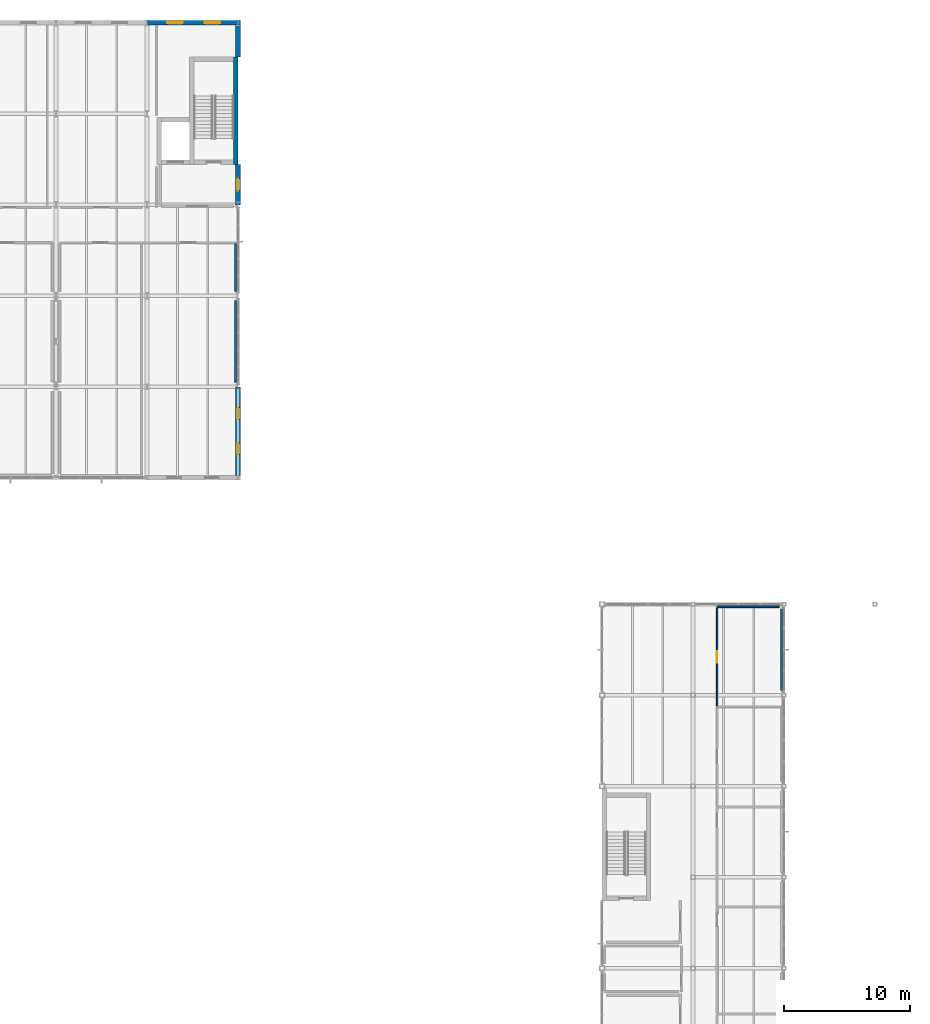
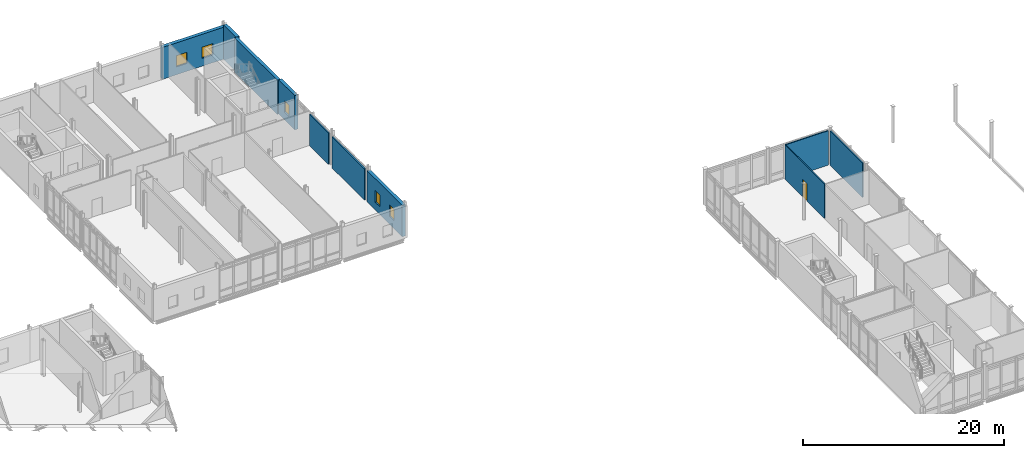
# One storey, part 62 of 76: 10 walls, 5 windows, 1 door, 6 openings.
"""IFC4 building model written with IfcOpenShell, lengths in metres."""

from ifc_helpers import new_model, si_unit, direction, frame, frame_2d, origin, place, context, subcontext, project, spatial, rectangle, extrude, material, layer, layer_set, type_object, element, fill, save


model = new_model("IFC4")

# Units and contexts
model_context = context("Model", 3, precision=1e-05, world=origin(), true_north=direction((0.0, 1.0)))
body_context = subcontext(model_context, "Body", "Model", "MODEL_VIEW")
ifc_project = project(units=[si_unit("LENGTHUNIT", "METRE"), si_unit("AREAUNIT", "SQUARE_METRE"), si_unit("VOLUMEUNIT", "CUBIC_METRE"), si_unit("PLANEANGLEUNIT", "RADIAN"), si_unit("MASSUNIT", "GRAM", prefix="KILO")], contexts=[model_context])

# Site, building, storey
site_placement = place(None, origin())
site = spatial("IfcSite", under=ifc_project, at=site_placement, CompositionType="ELEMENT")
building_placement = place(site_placement, origin())
building = spatial("IfcBuilding", under=site, at=building_placement, Name="Zarrinpeak Specialist Clinic", CompositionType="ELEMENT")
storey_placement = place(building_placement, frame((0.0, 0.0, 5.199951171875)))
storey = spatial("IfcBuildingStorey", under=building, at=storey_placement, Name="L01", CompositionType="ELEMENT", Elevation=5.199951171875)

# Wall
ifc_material_1 = material(Name="Concrete C40/50", Category="concrete")
ifc_layer_1 = layer(ifc_material_1, 0.35009765625)
ifc_layer_set_1 = layer_set([ifc_layer_1], Name="Concrete C40/50")
wall_type_1 = type_object("IfcWallType", Name="WL-CR350", PredefinedType="SHEAR", material=ifc_layer_set_1)
wall_1_placement = place(storey_placement, frame((64.625, 106.800048828125, 0.0), z_axis=(0.0, 0.0, 1.0), x_axis=(0.0, 1.0, 0.0)))
element("IfcWall", 1, at=wall_1_placement, inside=storey, type_object=wall_type_1, Name="L01 Core C12 Shear Wall STE", PredefinedType="SHEAR", context=body_context, shape_type="SweptSolid", body=[
    extrude(rectangle(XDim=8.5, YDim=0.35009765625, at=frame_2d((4.25, 0.0))), origin(), (0.0, 0.0, 1.0), 4.18505859375),
])

# Wall, openings, windows
ifc_material_2 = material(Name="Precast concrete C40/50", Category="concrete")
ifc_layer_2 = layer(ifc_material_2, 0.3798828125)
ifc_layer_set_2 = layer_set([ifc_layer_2], Name="Precast concrete C40/50")
wall_type_2 = type_object("IfcWallType", Name="WL-EW380", PredefinedType="STANDARD", material=ifc_layer_set_2)
wall_2_placement = place(storey_placement, frame((64.989990234375, 118.0, 0.0), z_axis=(0.0, 0.0, 1.0), x_axis=(-1.0, 0.0, 0.0)))
wall_2 = element("IfcWall", 2, at=wall_2_placement, inside=storey, type_object=wall_type_2, Name="L01 V6 Exterior GRC Wall EW-L01-V6-0282", PredefinedType="STANDARD", context=body_context, shape_type="SweptSolid", body=[
    extrude(rectangle(XDim=7.389892578125, YDim=0.3798828125, at=frame_2d((3.69482421875, 0.0))), origin(), (0.0, 0.0, 1.0), 3.880126953125),
])
opening_1_placement = place(wall_2_placement, frame((1.60009765625, 0.0, 0.949951171875)))
opening_1 = element("IfcOpeningElement", 3, at=opening_1_placement, cuts=wall_2, Name="Opening WS-51", PredefinedType="OPENING", context=body_context, shape_type="SweptSolid", body=[
    extrude(rectangle(XDim=1.23388671875, YDim=1.367919921875, at=frame_2d((0.616943359375, 0.68408203125))), frame((0.0, 0.199951171875, 0.0), z_axis=(0.0, -1.0, 0.0), x_axis=(1.0, 0.0, 0.0)), (0.0, 0.0, 1.0), 0.39990234375),
])
opening_2_placement = place(wall_2_placement, frame((4.555908203125, 0.0, 0.949951171875)))
opening_2 = element("IfcOpeningElement", 4, at=opening_2_placement, cuts=wall_2, Name="Opening WS-51", PredefinedType="OPENING", context=body_context, shape_type="SweptSolid", body=[
    extrude(rectangle(XDim=1.23388671875, YDim=1.367919921875, at=frame_2d((0.616943359375, 0.68408203125))), frame((0.0, 0.199951171875, 0.0), z_axis=(0.0, -1.0, 0.0), x_axis=(1.0, 0.0, 0.0)), (0.0, 0.0, 1.0), 0.39990234375),
])
ifc_material_3 = material(Name="Thermally Broken Aluminium and Low-E Glazing", Category="aluminium")
window_type_1 = type_object("IfcWindowType", Name="WN-SP51", PartitioningType="SINGLE_PANEL", PredefinedType="WINDOW", material=ifc_material_3)
window_1_placement = place(opening_1_placement, origin())
window_1 = element("IfcWindow", 5, at=window_1_placement, inside=storey, type_object=window_type_1, Name="L01 Modular Facade Window WN-L01-0320", OverallHeight=1.367919921875, OverallWidth=1.23388671875, PartitioningType="SINGLE_PANEL", PredefinedType="WINDOW", context=body_context, shape_type="SweptSolid", body=[
    extrude(rectangle(XDim=1.23388671875, YDim=1.367919921875, at=frame_2d((0.616943359375, 0.68408203125))), frame((0.0, 0.030029296875, 0.0), z_axis=(0.0, -1.0, 0.0), x_axis=(1.0, 0.0, 0.0)), (0.0, 0.0, 1.0), 0.06005859375),
])
fill(opening_1, window_1)
window_2_placement = place(opening_2_placement, origin())
window_2 = element("IfcWindow", 6, at=window_2_placement, inside=storey, type_object=window_type_1, Name="L01 Modular Facade Window WN-L01-0321", OverallHeight=1.367919921875, OverallWidth=1.23388671875, PartitioningType="SINGLE_PANEL", PredefinedType="WINDOW", context=body_context, shape_type="SweptSolid", body=[
    extrude(rectangle(XDim=1.23388671875, YDim=1.367919921875, at=frame_2d((0.616943359375, 0.68408203125))), frame((0.0, 0.030029296875, 0.0), z_axis=(0.0, -1.0, 0.0), x_axis=(1.0, 0.0, 0.0)), (0.0, 0.0, 1.0), 0.06005859375),
])
fill(opening_2, window_2)

wall_3_placement = place(storey_placement, frame((64.800048828125, 82.18994140625, 0.0), z_axis=(0.0, 0.0, 1.0), x_axis=(0.0, 1.0, 0.0)))
wall_3 = element("IfcWall", 7, at=wall_3_placement, inside=storey, type_object=wall_type_2, Name="L01 V6 Exterior GRC Wall EW-L01-V6-0286", PredefinedType="STANDARD", context=body_context, shape_type="SweptSolid", body=[
    extrude(rectangle(XDim=7.010009765625, YDim=0.3798828125, at=frame_2d((3.5048828125, 0.0))), origin(), (0.0, 0.0, 1.0), 3.81005859375),
])
opening_3_placement = place(wall_3_placement, frame((1.638916015625, 0.0, 0.949951171875)))
opening_3 = element("IfcOpeningElement", 8, at=opening_3_placement, cuts=wall_3, Name="Opening WS-55", PredefinedType="OPENING", context=body_context, shape_type="SweptSolid", body=[
    extrude(rectangle(XDim=0.927978515625, YDim=1.404052734375, at=frame_2d((0.4638671875, 0.7021484375))), frame((0.0, 0.199951171875, 0.0), z_axis=(0.0, -1.0, 0.0), x_axis=(1.0, 0.0, 0.0)), (0.0, 0.0, 1.0), 0.39990234375),
])
opening_4_placement = place(wall_3_placement, frame((4.443115234375, 0.0, 0.949951171875)))
opening_4 = element("IfcOpeningElement", 9, at=opening_4_placement, cuts=wall_3, Name="Opening WS-55", PredefinedType="OPENING", context=body_context, shape_type="SweptSolid", body=[
    extrude(rectangle(XDim=0.927978515625, YDim=1.404052734375, at=frame_2d((0.4638671875, 0.7021484375))), frame((0.0, 0.199951171875, 0.0), z_axis=(0.0, -1.0, 0.0), x_axis=(1.0, 0.0, 0.0)), (0.0, 0.0, 1.0), 0.39990234375),
])
window_type_2 = type_object("IfcWindowType", Name="WN-SP55", PartitioningType="SINGLE_PANEL", PredefinedType="WINDOW", material=ifc_material_3)
window_3_placement = place(opening_3_placement, origin())
window_3 = element("IfcWindow", 10, at=window_3_placement, inside=storey, type_object=window_type_2, Name="L01 Modular Facade Window WN-L01-0325", OverallHeight=1.404052734375, OverallWidth=0.927978515625, PartitioningType="SINGLE_PANEL", PredefinedType="WINDOW", context=body_context, shape_type="SweptSolid", body=[
    extrude(rectangle(XDim=0.927978515625, YDim=1.404052734375, at=frame_2d((0.4638671875, 0.7021484375))), frame((0.0, 0.030029296875, 0.0), z_axis=(0.0, -1.0, 0.0), x_axis=(1.0, 0.0, 0.0)), (0.0, 0.0, 1.0), 0.06005859375),
])
fill(opening_3, window_3)
window_4_placement = place(opening_4_placement, origin())
window_4 = element("IfcWindow", 11, at=window_4_placement, inside=storey, type_object=window_type_2, Name="L01 Modular Facade Window WN-L01-0326", OverallHeight=1.404052734375, OverallWidth=0.927978515625, PartitioningType="SINGLE_PANEL", PredefinedType="WINDOW", context=body_context, shape_type="SweptSolid", body=[
    extrude(rectangle(XDim=0.927978515625, YDim=1.404052734375, at=frame_2d((0.4638671875, 0.7021484375))), frame((0.0, 0.030029296875, 0.0), z_axis=(0.0, -1.0, 0.0), x_axis=(1.0, 0.0, 0.0)), (0.0, 0.0, 1.0), 0.06005859375),
])
fill(opening_4, window_4)

# Wall, opening, window
wall_4_placement = place(storey_placement, frame((64.800048828125, 103.60009765625, 0.0), z_axis=(0.0, 0.0, 1.0), x_axis=(0.0, 1.0, 0.0)))
wall_4 = element("IfcWall", 12, at=wall_4_placement, inside=storey, type_object=wall_type_2, Name="L01 V6 Exterior GRC Wall EW-L01-V6-0287", PredefinedType="STANDARD", context=body_context, shape_type="SweptSolid", body=[
    extrude(rectangle(XDim=3.199951171875, YDim=0.3798828125, at=frame_2d((1.60009765625, 0.0))), origin(), (0.0, 0.0, 1.0), 4.18505859375),
])
opening_5_placement = place(wall_4_placement, frame((1.118896484375, 0.0, 0.949951171875)))
opening_5 = element("IfcOpeningElement", 13, at=opening_5_placement, cuts=wall_4, Name="Opening WS-56", PredefinedType="OPENING", context=body_context, shape_type="SweptSolid", body=[
    extrude(rectangle(XDim=0.9619140625, YDim=1.404052734375, at=frame_2d((0.48095703125, 0.7021484375))), frame((0.0, 0.199951171875, 0.0), z_axis=(0.0, -1.0, 0.0), x_axis=(1.0, 0.0, 0.0)), (0.0, 0.0, 1.0), 0.39990234375),
])
window_type_3 = type_object("IfcWindowType", Name="WN-SP56", PartitioningType="SINGLE_PANEL", PredefinedType="WINDOW", material=ifc_material_3)
window_5_placement = place(opening_5_placement, origin())
window_5 = element("IfcWindow", 14, at=window_5_placement, inside=storey, type_object=window_type_3, Name="L01 Modular Facade Window WN-L01-0327", OverallHeight=1.404052734375, OverallWidth=0.9619140625, PartitioningType="SINGLE_PANEL", PredefinedType="WINDOW", context=body_context, shape_type="SweptSolid", body=[
    extrude(rectangle(XDim=0.9619140625, YDim=1.404052734375, at=frame_2d((0.48095703125, 0.7021484375))), frame((0.0, 0.030029296875, 0.0), z_axis=(0.0, -1.0, 0.0), x_axis=(1.0, 0.0, 0.0)), (0.0, 0.0, 1.0), 0.06005859375),
])
fill(opening_5, window_5)

# Wall
wall_5_placement = place(storey_placement, frame((64.800048828125, 115.300048828125, 0.0), z_axis=(0.0, 0.0, 1.0), x_axis=(0.0, 1.0, 0.0)))
element("IfcWall", 15, at=wall_5_placement, inside=storey, type_object=wall_type_2, Name="L01 V6 Exterior GRC Wall EW-L01-V6-0288", PredefinedType="STANDARD", context=body_context, shape_type="SweptSolid", body=[
    extrude(rectangle(XDim=2.510009765625, YDim=0.3798828125, at=frame_2d((1.2548828125, 0.0))), origin(), (0.0, 0.0, 1.0), 4.18505859375),
])

# Wall, opening, door
ifc_material_4 = material(Name="Sanitary Service Chase Plumbing Wall", Category="gypsum")
ifc_layer_3 = layer(ifc_material_4, 0.110107421875)
ifc_layer_set_3 = layer_set([ifc_layer_3], Name="Sanitary Service Chase Plumbing Wall")
wall_type_3 = type_object("IfcWallType", Name="WL-IW110", PredefinedType="PARTITIONING", material=ifc_layer_set_3)
wall_6_placement = place(storey_placement, frame((102.699951171875, 63.93505859375, 0.0), z_axis=(0.0, 0.0, 1.0), x_axis=(0.0, 1.0, 0.0)))
wall_6 = element("IfcWall", 16, at=wall_6_placement, inside=storey, type_object=wall_type_3, Name="L01 Staff WC Dividing Partition", PredefinedType="PARTITIONING", context=body_context, shape_type="SweptSolid", body=[
    extrude(rectangle(XDim=7.802490234375, YDim=0.110107421875, at=frame_2d((3.9013671875, 0.0))), origin(), (0.0, 0.0, 1.0), 4.18505859375),
])
opening_6_placement = place(wall_6_placement, frame((3.451171875, 0.0, 0.0)))
opening_6 = element("IfcOpeningElement", 17, at=opening_6_placement, cuts=wall_6, Name="Opening D-W01", PredefinedType="OPENING", context=body_context, shape_type="SweptSolid", body=[
    extrude(rectangle(XDim=0.89990234375, YDim=2.10009765625, at=frame_2d((0.449951171875, 1.050048828125))), frame((0.0, 0.06494140625, 0.0), z_axis=(0.0, -1.0, 0.0), x_axis=(1.0, 0.0, 0.0)), (0.0, 0.0, 1.0), 0.130126953125),
])
ifc_material_5 = material(Name="Powder-Coated Galvanised Steel", Category="steel")
door_type = type_object("IfcDoorType", Name="DR-WC90", OperationType="SINGLE_SWING_RIGHT", PredefinedType="DOOR", material=ifc_material_5)
door_placement = place(opening_6_placement, origin())
door = element("IfcDoor", 18, at=door_placement, inside=storey, type_object=door_type, Name="L01 Staff WC Door", OperationType="SINGLE_SWING_RIGHT", OverallHeight=2.10009765625, OverallWidth=0.89990234375, PredefinedType="DOOR", context=body_context, shape_type="SweptSolid", body=[
    extrude(rectangle(XDim=0.89990234375, YDim=2.10009765625, at=frame_2d((0.449951171875, 1.050048828125))), frame((0.0, 0.02490234375, 0.0), z_axis=(0.0, -1.0, 0.0), x_axis=(1.0, 0.0, 0.0)), (0.0, 0.0, 1.0), 0.050048828125),
])
fill(opening_6, door)

# Walls
ifc_material_6 = material(Name="Moisture-Resistant Wet-Room Partition", Category="gypsum")
ifc_layer_4 = layer(ifc_material_6, 0.125)
ifc_layer_set_4 = layer_set([ifc_layer_4], Name="Moisture-Resistant Wet-Room Partition")
wall_type_4 = type_object("IfcWallType", Name="WL-IW125W", PredefinedType="PARTITIONING", material=ifc_layer_set_4)
wall_7_placement = place(storey_placement, frame((102.699951171875, 71.800048828125, 0.0), z_axis=(0.0, 0.0, 1.0), x_axis=(1.0, 0.0, 0.0)))
element("IfcWall", 19, at=wall_7_placement, inside=storey, type_object=wall_type_4, Name="L01 Staff WC Partition", PredefinedType="PARTITIONING", context=body_context, shape_type="SweptSolid", body=[
    extrude(rectangle(XDim=4.920166015625, YDim=0.125, at=frame_2d((2.4599609375, 0.0))), origin(), (0.0, 0.0, 1.0), 4.18505859375),
])
wall_8_placement = place(storey_placement, frame((107.800048828125, 65.179931640625, 0.0), z_axis=(0.0, 0.0, 1.0), x_axis=(0.0, 1.0, 0.0)))
element("IfcWall", 20, at=wall_8_placement, inside=storey, type_object=wall_type_4, Name="L01 Staff WC Dividing Partition", PredefinedType="PARTITIONING", context=body_context, shape_type="SweptSolid", body=[
    extrude(rectangle(XDim=6.440185546875, YDim=0.125, at=frame_2d((3.22021484375, 0.0))), origin(), (0.0, 0.0, 1.0), 4.18505859375),
])
ifc_material_7 = material(Name="Standard Drywall Partition", Category="gypsum")
ifc_layer_5 = layer(ifc_material_7, 0.135009765625)
ifc_layer_set_5 = layer_set([ifc_layer_5], Name="Standard Drywall Partition")
wall_type_5 = type_object("IfcWallType", Name="WL-IW135", PredefinedType="PARTITIONING", material=ifc_layer_set_5)
wall_9_placement = place(storey_placement, frame((64.60009765625, 96.780029296875, 0.0), z_axis=(0.0, 0.0, 1.0), x_axis=(0.0, 1.0, 0.0)))
element("IfcWall", 21, at=wall_9_placement, inside=storey, type_object=wall_type_5, Name="L01 Specialist Consultation Room 1 Dividing Partition", PredefinedType="PARTITIONING", context=body_context, shape_type="SweptSolid", body=[
    extrude(rectangle(XDim=3.760986328125, YDim=0.135009765625, at=frame_2d((1.88037109375, 0.0))), origin(), (0.0, 0.0, 1.0), 3.81005859375),
])
ifc_material_8 = material(Name="Acoustic Consultation Stud Partition", Category="gypsum")
ifc_layer_6 = layer(ifc_material_8, 0.14208984375)
ifc_layer_set_6 = layer_set([ifc_layer_6], Name="Acoustic Consultation Stud Partition")
wall_type_6 = type_object("IfcWallType", Name="WL-IW142", PredefinedType="PARTITIONING", material=ifc_layer_set_6)
wall_10_placement = place(storey_placement, frame((64.60009765625, 89.580078125, 0.0), z_axis=(0.0, 0.0, 1.0), x_axis=(0.0, 1.0, 0.0)))
element("IfcWall", 22, at=wall_10_placement, inside=storey, type_object=wall_type_6, Name="L01 Specialist Consultation Room 1 Dividing Partition", PredefinedType="PARTITIONING", context=body_context, shape_type="SweptSolid", body=[
    extrude(rectangle(XDim=6.43994140625, YDim=0.14208984375, at=frame_2d((3.219970703125, 0.0))), origin(), (0.0, 0.0, 1.0), 3.81005859375),
])

save(model, "model.ifc")
